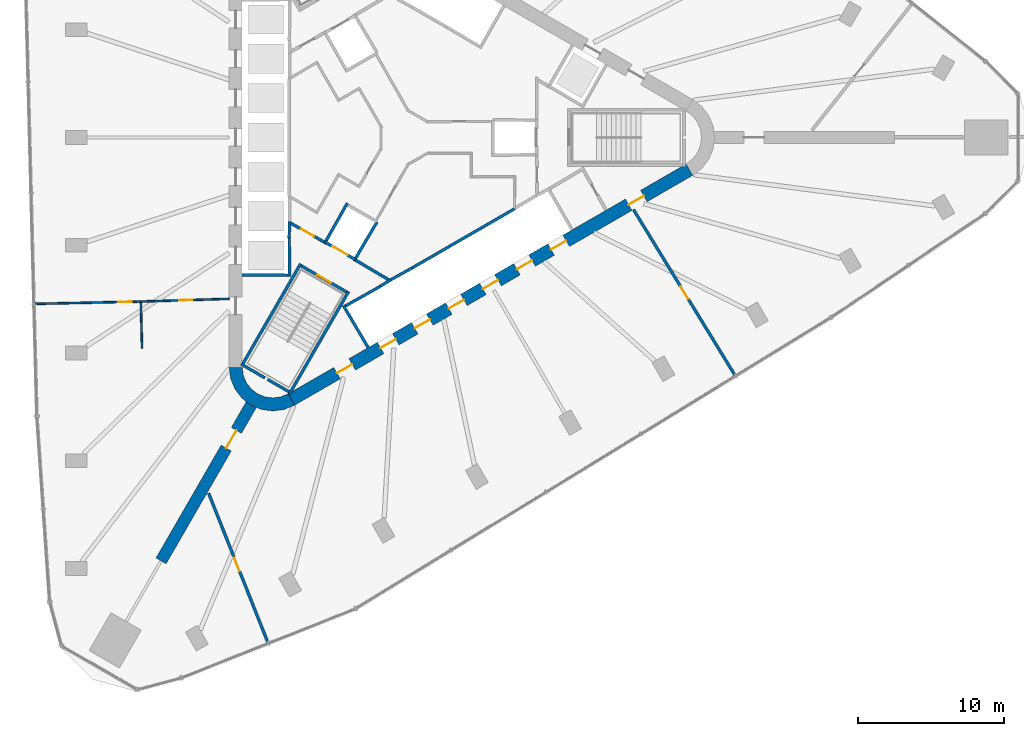
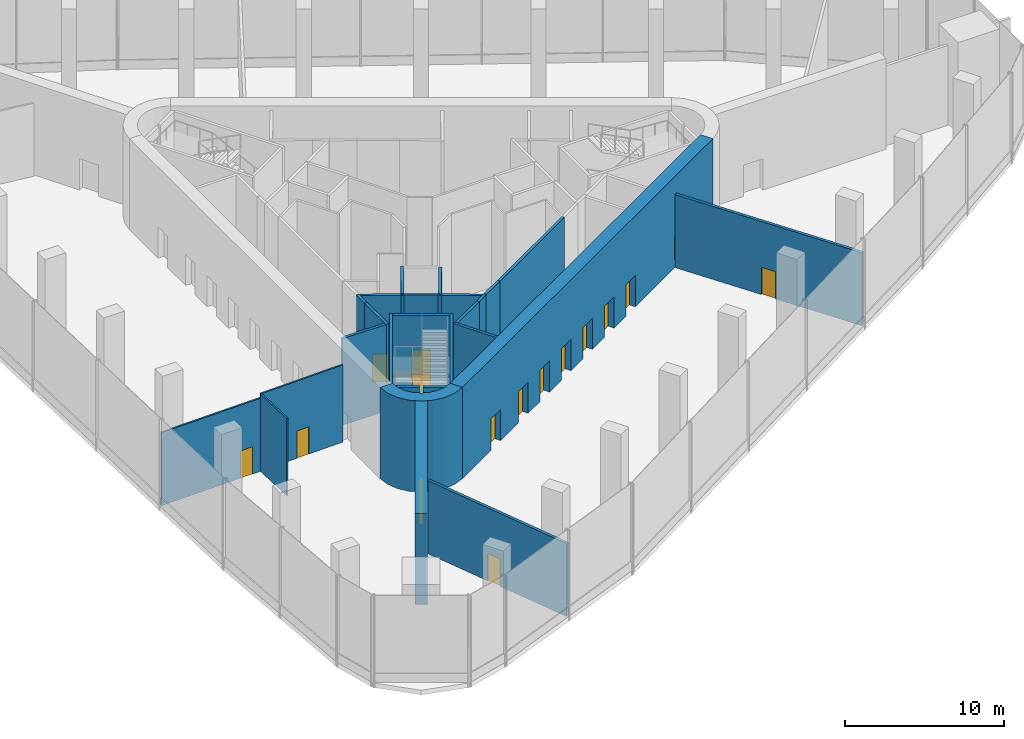
# One storey, part 8 of 15: 26 walls, 16 doors, 16 openings.
"""IFC4 building model written with IfcOpenShell, lengths in metres."""

from ifc_helpers import new_model, si_unit, direction, frame, frame_2d, origin, place, context, subcontext, project, spatial, polyline, rectangle, outline, extrude, material, layer, layer_set, type_object, element, fill, save


model = new_model("IFC4")

# Units and contexts
model_context = context("Model", 3, precision=1e-05, world=origin(), true_north=direction((0.0, 1.0)))
body_context = subcontext(model_context, "Body", "Model", "MODEL_VIEW")
ifc_project = project(units=[si_unit("LENGTHUNIT", "METRE"), si_unit("AREAUNIT", "SQUARE_METRE"), si_unit("VOLUMEUNIT", "CUBIC_METRE"), si_unit("PLANEANGLEUNIT", "RADIAN"), si_unit("MASSUNIT", "GRAM", prefix="KILO")], contexts=[model_context])

# Site, building, storey
site_placement = place(None, origin())
site = spatial("IfcSite", under=ifc_project, at=site_placement, CompositionType="ELEMENT")
building_placement = place(site_placement, origin())
building = spatial("IfcBuilding", under=site, at=building_placement, Name="Tanit Gate Tower", CompositionType="ELEMENT")
storey_placement = place(building_placement, frame((0.0, 0.0, 156.199951171875)))
storey = spatial("IfcBuildingStorey", under=building, at=storey_placement, Name="L34", CompositionType="ELEMENT", Elevation=156.199951171875)

# Wall, opening, door
ifc_material_1 = material(Name="Concrete C60/75", Category="concrete")
ifc_layer_1 = layer(ifc_material_1, 0.800048828125)
ifc_layer_set_1 = layer_set([ifc_layer_1], Name="BUTTRESS FIN 800 C60/75")
wall_type_1 = type_object("IfcWallType", Name="BUTTRESS FIN 800 C60/75", PredefinedType="SHEAR", material=ifc_layer_set_1)
wall_1_placement = place(storey_placement, frame((-10.574951171875, -18.31640625, 0.0), z_axis=(0.0, 0.0, 1.0), x_axis=(-0.500002326941, -0.86602406032, 0.0)))
wall_1 = element("IfcWall", 1, at=wall_1_placement, inside=storey, type_object=wall_type_1, Name="BUTTRESS FIN", PredefinedType="SHEAR", context=body_context, shape_type="SweptSolid", body=[
    extrude(rectangle(XDim=12.3837890625, YDim=0.800048828125, at=frame_2d((6.19189453125, 0.0))), origin(), (0.0, 0.0, 1.0), 7.0),
])
opening_1_placement = place(wall_1_placement, frame((2.050048828125, 0.0, 0.0)))
opening_1 = element("IfcOpeningElement", 2, at=opening_1_placement, cuts=wall_1, Name="Opening P14-34-F-SW-1", PredefinedType="OPENING", context=body_context, shape_type="SweptSolid", body=[
    extrude(rectangle(XDim=1.39990234375, YDim=2.39990234375, at=frame_2d((0.699951171875, 1.199951171875))), frame((0.0, 0.41015625, 0.0), z_axis=(0.0, -1.0, 0.0), x_axis=(1.0, 0.0, 0.0)), (0.0, 0.0, 1.0), 0.820068359375),
])
ifc_material_2 = material(Name="Timber door leaf", Category="wood")
door_type_1 = type_object("IfcDoorType", Name="INT-DOOR-FIN-PAIR-1400", OperationType="NOTDEFINED", PredefinedType="NOTDEFINED", material=ifc_material_2)
door_1_placement = place(opening_1_placement, origin())
door_1 = element("IfcDoor", 3, at=door_1_placement, inside=storey, type_object=door_type_1, Name="Door P14-34-F-SW-1", OperationType="DOUBLE_DOOR_SINGLE_SWING", OverallHeight=2.39990234375, OverallWidth=1.39990234375, PredefinedType="NOTDEFINED", context=body_context, shape_type="SweptSolid", body=[
    extrude(rectangle(XDim=1.39990234375, YDim=2.39990234375, at=frame_2d((0.699951171875, 1.199951171875))), frame((0.0, 0.02490234375, 0.0), z_axis=(0.0, -1.0, 0.0), x_axis=(1.0, 0.0, 0.0)), (0.0, 0.0, 1.0), 0.050048828125),
])
fill(opening_1, door_1)

# Wall, openings, doors
ifc_material_3 = material(Name="Concrete C60/75", Category="concrete")
ifc_layer_2 = layer(ifc_material_3, 0.89990234375)
ifc_layer_set_2 = layer_set([ifc_layer_2], Name="CORE WALL 900 C60/75")
wall_type_2 = type_object("IfcWallType", Name="CORE WALL 900 C60/75", PredefinedType="SHEAR", material=ifc_layer_set_2)
wall_2_placement = place(storey_placement, frame((-7.824951171875, -17.969970703125, 0.0), z_axis=(0.0, 0.0, 1.0), x_axis=(0.866028369851, 0.499994862586, 0.0)))
wall_2 = element("IfcWall", 4, at=wall_2_placement, inside=storey, type_object=wall_type_2, Name="CORE WALL", PredefinedType="SHEAR", context=body_context, shape_type="SweptSolid", body=[
    extrude(rectangle(XDim=31.523193359375, YDim=0.89990234375, at=frame_2d((15.76171875, 0.0))), origin(), (0.0, 0.0, 1.0), 7.0),
])
opening_2_placement = place(wall_2_placement, frame((7.061767578125, 0.0, 0.0)))
opening_2 = element("IfcOpeningElement", 5, at=opening_2_placement, cuts=wall_2, Name="Opening LDSX1-34", PredefinedType="OPENING", context=body_context, shape_type="SweptSolid", body=[
    extrude(rectangle(XDim=1.199951171875, YDim=2.39990234375, at=frame_2d((0.60009765625, 1.199951171875))), frame((0.0, 0.4599609375, 0.0), z_axis=(0.0, -1.0, 0.0), x_axis=(1.0, 0.0, 0.0)), (0.0, 0.0, 1.0), 0.919921875),
])
opening_3_placement = place(wall_2_placement, frame((9.76171875, 0.0, 0.0)))
opening_3 = element("IfcOpeningElement", 6, at=opening_3_placement, cuts=wall_2, Name="Opening LDSX2-34", PredefinedType="OPENING", context=body_context, shape_type="SweptSolid", body=[
    extrude(rectangle(XDim=1.199951171875, YDim=2.39990234375, at=frame_2d((0.60009765625, 1.199951171875))), frame((0.0, 0.4599609375, 0.0), z_axis=(0.0, -1.0, 0.0), x_axis=(1.0, 0.0, 0.0)), (0.0, 0.0, 1.0), 0.919921875),
])
opening_4_placement = place(wall_2_placement, frame((12.461669921875, 0.0, 0.0)))
opening_4 = element("IfcOpeningElement", 7, at=opening_4_placement, cuts=wall_2, Name="Opening LDSX3-34", PredefinedType="OPENING", context=body_context, shape_type="SweptSolid", body=[
    extrude(rectangle(XDim=1.199951171875, YDim=2.39990234375, at=frame_2d((0.60009765625, 1.199951171875))), frame((0.0, 0.4599609375, 0.0), z_axis=(0.0, -1.0, 0.0), x_axis=(1.0, 0.0, 0.0)), (0.0, 0.0, 1.0), 0.919921875),
])
opening_5_placement = place(wall_2_placement, frame((15.16162109375, 0.0, 0.0)))
opening_5 = element("IfcOpeningElement", 8, at=opening_5_placement, cuts=wall_2, Name="Opening LDSX4-34", PredefinedType="OPENING", context=body_context, shape_type="SweptSolid", body=[
    extrude(rectangle(XDim=1.199951171875, YDim=2.39990234375, at=frame_2d((0.60009765625, 1.199951171875))), frame((0.0, 0.4599609375, 0.0), z_axis=(0.0, -1.0, 0.0), x_axis=(1.0, 0.0, 0.0)), (0.0, 0.0, 1.0), 0.919921875),
])
opening_6_placement = place(wall_2_placement, frame((17.861572265625, 0.0, 0.0)))
opening_6 = element("IfcOpeningElement", 9, at=opening_6_placement, cuts=wall_2, Name="Opening LDSV1-34", PredefinedType="OPENING", context=body_context, shape_type="SweptSolid", body=[
    extrude(rectangle(XDim=1.199951171875, YDim=2.39990234375, at=frame_2d((0.60009765625, 1.199951171875))), frame((0.0, 0.4599609375, 0.0), z_axis=(0.0, -1.0, 0.0), x_axis=(1.0, 0.0, 0.0)), (0.0, 0.0, 1.0), 0.919921875),
])
opening_7_placement = place(wall_2_placement, frame((20.561767578125, 0.0, 0.0)))
opening_7 = element("IfcOpeningElement", 10, at=opening_7_placement, cuts=wall_2, Name="Opening LDSV2-34", PredefinedType="OPENING", context=body_context, shape_type="SweptSolid", body=[
    extrude(rectangle(XDim=1.199951171875, YDim=2.39990234375, at=frame_2d((0.60009765625, 1.199951171875))), frame((0.0, 0.4599609375, 0.0), z_axis=(0.0, -1.0, 0.0), x_axis=(1.0, 0.0, 0.0)), (0.0, 0.0, 1.0), 0.919921875),
])
opening_8_placement = place(wall_2_placement, frame((26.711669921875, 0.0, 0.0)))
opening_8 = element("IfcOpeningElement", 11, at=opening_8_placement, cuts=wall_2, Name="Opening F12-34-S1", PredefinedType="OPENING", context=body_context, shape_type="SweptSolid", body=[
    extrude(rectangle(XDim=1.199951171875, YDim=2.39990234375, at=frame_2d((0.60009765625, 1.199951171875))), frame((0.0, 0.4599609375, 0.0), z_axis=(0.0, -1.0, 0.0), x_axis=(1.0, 0.0, 0.0)), (0.0, 0.0, 1.0), 0.919921875),
])
opening_9_placement = place(wall_2_placement, frame((3.611572265625, 0.0, 0.0)))
opening_9 = element("IfcOpeningElement", 12, at=opening_9_placement, cuts=wall_2, Name="Opening F12-34-FL3", PredefinedType="OPENING", context=body_context, shape_type="SweptSolid", body=[
    extrude(rectangle(XDim=1.199951171875, YDim=2.39990234375, at=frame_2d((0.60009765625, 1.199951171875))), frame((0.0, 0.4599609375, 0.0), z_axis=(0.0, -1.0, 0.0), x_axis=(1.0, 0.0, 0.0)), (0.0, 0.0, 1.0), 0.919921875),
])
ifc_material_4 = material(Name="Fire-rated steel door leaf", Category="steel")
door_type_2 = type_object("IfcDoorType", Name="INT-DOOR-FIRE-LOBBY-1200", OperationType="NOTDEFINED", PredefinedType="USERDEFINED", material=ifc_material_4)
door_2_placement = place(opening_8_placement, origin())
door_2 = element("IfcDoor", 13, at=door_2_placement, inside=storey, type_object=door_type_2, Name="Door F12-34-S1", ObjectType="FIRE DOOR", OperationType="SINGLE_SWING_LEFT", OverallHeight=2.39990234375, OverallWidth=1.199951171875, PredefinedType="USERDEFINED", context=body_context, shape_type="SweptSolid", body=[
    extrude(rectangle(XDim=1.199951171875, YDim=2.39990234375, at=frame_2d((0.60009765625, 1.199951171875))), frame((0.0, 0.02490234375, 0.0), z_axis=(0.0, -1.0, 0.0), x_axis=(1.0, 0.0, 0.0)), (0.0, 0.0, 1.0), 0.050048828125),
])
fill(opening_8, door_2)
door_3_placement = place(opening_9_placement, origin())
door_3 = element("IfcDoor", 14, at=door_3_placement, inside=storey, type_object=door_type_2, Name="Door F12-34-FL3", ObjectType="FIRE DOOR", OperationType="SINGLE_SWING_LEFT", OverallHeight=2.39990234375, OverallWidth=1.199951171875, PredefinedType="USERDEFINED", context=body_context, shape_type="SweptSolid", body=[
    extrude(rectangle(XDim=1.199951171875, YDim=2.39990234375, at=frame_2d((0.60009765625, 1.199951171875))), frame((0.0, 0.02490234375, 0.0), z_axis=(0.0, -1.0, 0.0), x_axis=(1.0, 0.0, 0.0)), (0.0, 0.0, 1.0), 0.050048828125),
])
fill(opening_9, door_3)
ifc_material_5 = material(Name="Stainless steel sliding door leaf", Category="steel")
door_type_3 = type_object("IfcDoorType", Name="INT-DOOR-LANDING-1200", OperationType="NOTDEFINED", PredefinedType="USERDEFINED", material=ifc_material_5)
door_4_placement = place(opening_2_placement, origin())
door_4 = element("IfcDoor", 15, at=door_4_placement, inside=storey, type_object=door_type_3, Name="Door LDSX1-34", ObjectType="LANDING DOOR", OperationType="SLIDING_TO_LEFT", OverallHeight=2.39990234375, OverallWidth=1.199951171875, PredefinedType="USERDEFINED", context=body_context, shape_type="SweptSolid", body=[
    extrude(rectangle(XDim=1.199951171875, YDim=2.39990234375, at=frame_2d((0.60009765625, 1.199951171875))), frame((0.0, 0.02490234375, 0.0), z_axis=(0.0, -1.0, 0.0), x_axis=(1.0, 0.0, 0.0)), (0.0, 0.0, 1.0), 0.050048828125),
])
fill(opening_2, door_4)
door_5_placement = place(opening_3_placement, origin())
door_5 = element("IfcDoor", 16, at=door_5_placement, inside=storey, type_object=door_type_3, Name="Door LDSX2-34", ObjectType="LANDING DOOR", OperationType="SLIDING_TO_LEFT", OverallHeight=2.39990234375, OverallWidth=1.199951171875, PredefinedType="USERDEFINED", context=body_context, shape_type="SweptSolid", body=[
    extrude(rectangle(XDim=1.199951171875, YDim=2.39990234375, at=frame_2d((0.60009765625, 1.199951171875))), frame((0.0, 0.02490234375, 0.0), z_axis=(0.0, -1.0, 0.0), x_axis=(1.0, 0.0, 0.0)), (0.0, 0.0, 1.0), 0.050048828125),
])
fill(opening_3, door_5)
door_6_placement = place(opening_4_placement, origin())
door_6 = element("IfcDoor", 17, at=door_6_placement, inside=storey, type_object=door_type_3, Name="Door LDSX3-34", ObjectType="LANDING DOOR", OperationType="SLIDING_TO_LEFT", OverallHeight=2.39990234375, OverallWidth=1.199951171875, PredefinedType="USERDEFINED", context=body_context, shape_type="SweptSolid", body=[
    extrude(rectangle(XDim=1.199951171875, YDim=2.39990234375, at=frame_2d((0.60009765625, 1.199951171875))), frame((0.0, 0.02490234375, 0.0), z_axis=(0.0, -1.0, 0.0), x_axis=(1.0, 0.0, 0.0)), (0.0, 0.0, 1.0), 0.050048828125),
])
fill(opening_4, door_6)
door_7_placement = place(opening_5_placement, origin())
door_7 = element("IfcDoor", 18, at=door_7_placement, inside=storey, type_object=door_type_3, Name="Door LDSX4-34", ObjectType="LANDING DOOR", OperationType="SLIDING_TO_LEFT", OverallHeight=2.39990234375, OverallWidth=1.199951171875, PredefinedType="USERDEFINED", context=body_context, shape_type="SweptSolid", body=[
    extrude(rectangle(XDim=1.199951171875, YDim=2.39990234375, at=frame_2d((0.60009765625, 1.199951171875))), frame((0.0, 0.02490234375, 0.0), z_axis=(0.0, -1.0, 0.0), x_axis=(1.0, 0.0, 0.0)), (0.0, 0.0, 1.0), 0.050048828125),
])
fill(opening_5, door_7)
door_8_placement = place(opening_6_placement, origin())
door_8 = element("IfcDoor", 19, at=door_8_placement, inside=storey, type_object=door_type_3, Name="Door LDSV1-34", ObjectType="LANDING DOOR", OperationType="SLIDING_TO_LEFT", OverallHeight=2.39990234375, OverallWidth=1.199951171875, PredefinedType="USERDEFINED", context=body_context, shape_type="SweptSolid", body=[
    extrude(rectangle(XDim=1.199951171875, YDim=2.39990234375, at=frame_2d((0.60009765625, 1.199951171875))), frame((0.0, 0.02490234375, 0.0), z_axis=(0.0, -1.0, 0.0), x_axis=(1.0, 0.0, 0.0)), (0.0, 0.0, 1.0), 0.050048828125),
])
fill(opening_6, door_8)
door_9_placement = place(opening_7_placement, origin())
door_9 = element("IfcDoor", 20, at=door_9_placement, inside=storey, type_object=door_type_3, Name="Door LDSV2-34", ObjectType="LANDING DOOR", OperationType="SLIDING_TO_LEFT", OverallHeight=2.39990234375, OverallWidth=1.199951171875, PredefinedType="USERDEFINED", context=body_context, shape_type="SweptSolid", body=[
    extrude(rectangle(XDim=1.199951171875, YDim=2.39990234375, at=frame_2d((0.60009765625, 1.199951171875))), frame((0.0, 0.02490234375, 0.0), z_axis=(0.0, -1.0, 0.0), x_axis=(1.0, 0.0, 0.0)), (0.0, 0.0, 1.0), 0.050048828125),
])
fill(opening_7, door_9)

# Walls
wall_3_placement = place(storey_placement, origin())
element("IfcWall", 21, at=wall_3_placement, inside=storey, type_object=wall_type_2, Name="CORE WALL CORNER", PredefinedType="SHEAR", context=body_context, shape_type="SweptSolid", body=[
    extrude(outline(polyline([(-12.10009765625, -15.76171875), (-11.997802734375, -16.5380859375), (-11.697998046875, -17.26171875), (-11.22119140625, -17.883056640625), (-10.60009765625, -18.359619140625), (-9.87646484375, -18.659423828125), (-9.10009765625, -18.76171875), (-8.323486328125, -18.659423828125), (-7.60009765625, -18.359619140625), (-8.050048828125, -17.580322265625), (-8.556396484375, -17.7900390625), (-9.10009765625, -17.86181640625), (-9.6435546875, -17.7900390625), (-10.14990234375, -17.580322265625), (-10.5849609375, -17.24658203125), (-10.918701171875, -16.811767578125), (-11.12841796875, -16.30517578125), (-11.199951171875, -15.76171875), (-12.10009765625, -15.76171875)])), origin(), (0.0, 0.0, 1.0), 7.0),
])
ifc_material_6 = material(Name="Fire-rated gypsum board partition")
ifc_layer_3 = layer(ifc_material_6, 0.199951171875)
ifc_layer_set_3 = layer_set([ifc_layer_3], Name="INT-WALL-COMPARTMENT")
wall_type_3 = type_object("IfcWallType", Name="INT-WALL-COMPARTMENT", PredefinedType="PARTITIONING", material=ifc_layer_set_3)
wall_4_placement = place(storey_placement, frame((-3.400634765625, -8.43017578125, 0.0), z_axis=(0.0, 0.0, 1.0), x_axis=(0.860615607571, -0.509255118781, 0.0)))
element("IfcWall", 22, at=wall_4_placement, inside=storey, type_object=wall_type_3, Name="Wall Compartment W066", PredefinedType="PARTITIONING", context=body_context, shape_type="SweptSolid", body=[
    extrude(rectangle(XDim=2.58056640625, YDim=0.199951171875, at=frame_2d((1.290283203125, 0.0))), origin(), (0.0, 0.0, 1.0), 6.650146484375),
])

# Wall, opening, door
wall_5_placement = place(storey_placement, frame((-7.849365234375, -5.893798828125, 0.0), z_axis=(0.0, 0.0, 1.0), x_axis=(0.871363259478, -0.490638431059, 0.0)))
wall_5 = element("IfcWall", 23, at=wall_5_placement, inside=storey, type_object=wall_type_3, Name="Wall Compartment W067", PredefinedType="PARTITIONING", context=body_context, shape_type="SweptSolid", body=[
    extrude(rectangle(XDim=2.5810546875, YDim=0.199951171875, at=frame_2d((1.29052734375, 0.0))), origin(), (0.0, 0.0, 1.0), 6.650146484375),
])
opening_10_placement = place(wall_5_placement, frame((0.79052734375, 0.0, 0.0)))
opening_10 = element("IfcOpeningElement", 24, at=opening_10_placement, cuts=wall_5, Name="Opening F10-34-08", PredefinedType="OPENING", context=body_context, shape_type="SweptSolid", body=[
    extrude(rectangle(XDim=1.0, YDim=2.10009765625, at=frame_2d((0.5, 1.050048828125))), frame((0.0, 0.10986328125, 0.0), z_axis=(0.0, -1.0, 0.0), x_axis=(1.0, 0.0, 0.0)), (0.0, 0.0, 1.0), 0.219970703125),
])
ifc_material_7 = material(Name="Fire-rated steel door leaf", Category="steel")
door_type_4 = type_object("IfcDoorType", Name="INT-DOOR-FIRE-1000", OperationType="NOTDEFINED", PredefinedType="USERDEFINED", material=ifc_material_7)
door_10_placement = place(opening_10_placement, origin())
door_10 = element("IfcDoor", 25, at=door_10_placement, inside=storey, type_object=door_type_4, Name="Door F10-34-08", ObjectType="FIRE DOOR", OperationType="SINGLE_SWING_RIGHT", OverallHeight=2.10009765625, OverallWidth=1.0, PredefinedType="USERDEFINED", context=body_context, shape_type="SweptSolid", body=[
    extrude(rectangle(XDim=1.0, YDim=2.10009765625, at=frame_2d((0.5, 1.050048828125))), frame((0.0, 0.02490234375, 0.0), z_axis=(0.0, -1.0, 0.0), x_axis=(1.0, 0.0, 0.0)), (0.0, 0.0, 1.0), 0.050048828125),
])
fill(opening_10, door_10)

wall_6_placement = place(storey_placement, frame((-13.5078125, -24.396240234375, 0.0), z_axis=(0.0, 0.0, 1.0), x_axis=(0.368929458487, -0.92945739798, 0.0)))
wall_6 = element("IfcWall", 26, at=wall_6_placement, inside=storey, type_object=wall_type_3, Name="Wall Compartment W096", PredefinedType="PARTITIONING", context=body_context, shape_type="SweptSolid", body=[
    extrude(rectangle(XDim=11.08837890625, YDim=0.199951171875, at=frame_2d((5.544189453125, 0.0))), origin(), (0.0, 0.0, 1.0), 5.612060546875),
])
opening_11_placement = place(wall_6_placement, frame((4.762451171875, 0.0, 0.0)))
opening_11 = element("IfcOpeningElement", 27, at=opening_11_placement, cuts=wall_6, Name="Opening F10-34-17", PredefinedType="OPENING", context=body_context, shape_type="SweptSolid", body=[
    extrude(rectangle(XDim=1.0, YDim=2.10009765625, at=frame_2d((0.5, 1.050048828125))), frame((0.0, 0.10986328125, 0.0), z_axis=(0.0, -1.0, 0.0), x_axis=(1.0, 0.0, 0.0)), (0.0, 0.0, 1.0), 0.219970703125),
])
door_11_placement = place(opening_11_placement, origin())
door_11 = element("IfcDoor", 28, at=door_11_placement, inside=storey, type_object=door_type_4, Name="Door F10-34-17", ObjectType="FIRE DOOR", OperationType="SINGLE_SWING_LEFT", OverallHeight=2.10009765625, OverallWidth=1.0, PredefinedType="USERDEFINED", context=body_context, shape_type="SweptSolid", body=[
    extrude(rectangle(XDim=1.0, YDim=2.10009765625, at=frame_2d((0.5, 1.050048828125))), frame((0.0, 0.02490234375, 0.0), z_axis=(0.0, -1.0, 0.0), x_axis=(1.0, 0.0, 0.0)), (0.0, 0.0, 1.0), 0.050048828125),
])
fill(opening_11, door_11)

wall_7_placement = place(storey_placement, frame((22.631103515625, -16.368896484375, 0.0), z_axis=(0.0, 0.0, 1.0), x_axis=(-0.522292365044, 0.852766489384, 0.0)))
wall_7 = element("IfcWall", 29, at=wall_7_placement, inside=storey, type_object=wall_type_3, Name="Wall Compartment W097", PredefinedType="PARTITIONING", context=body_context, shape_type="SweptSolid", body=[
    extrude(rectangle(XDim=13.39599609375, YDim=0.199951171875, at=frame_2d((6.697998046875, 0.0))), origin(), (0.0, 0.0, 1.0), 5.612060546875),
])
opening_12_placement = place(wall_7_placement, frame((6.199951171875, 0.0, 0.0)))
opening_12 = element("IfcOpeningElement", 30, at=opening_12_placement, cuts=wall_7, Name="Opening F10-34-18", PredefinedType="OPENING", context=body_context, shape_type="SweptSolid", body=[
    extrude(rectangle(XDim=1.0, YDim=2.10009765625, at=frame_2d((0.5, 1.050048828125))), frame((0.0, 0.10986328125, 0.0), z_axis=(0.0, -1.0, 0.0), x_axis=(1.0, 0.0, 0.0)), (0.0, 0.0, 1.0), 0.219970703125),
])
door_12_placement = place(opening_12_placement, origin())
door_12 = element("IfcDoor", 31, at=door_12_placement, inside=storey, type_object=door_type_4, Name="Door F10-34-18", ObjectType="FIRE DOOR", OperationType="SINGLE_SWING_RIGHT", OverallHeight=2.10009765625, OverallWidth=1.0, PredefinedType="USERDEFINED", context=body_context, shape_type="SweptSolid", body=[
    extrude(rectangle(XDim=1.0, YDim=2.10009765625, at=frame_2d((0.5, 1.050048828125))), frame((0.0, 0.02490234375, 0.0), z_axis=(0.0, -1.0, 0.0), x_axis=(1.0, 0.0, 0.0)), (0.0, 0.0, 1.0), 0.050048828125),
])
fill(opening_12, door_12)

ifc_material_8 = material(Name="Gypsum board partition")
ifc_layer_4 = layer(ifc_material_8, 0.1201171875)
ifc_layer_set_4 = layer_set([ifc_layer_4], Name="INT-WALL-PARTITION")
wall_type_4 = type_object("IfcWallType", Name="INT-WALL-PARTITION", PredefinedType="PARTITIONING", material=ifc_layer_set_4)
wall_8_placement = place(storey_placement, frame((-25.491455078125, -11.41455078125, 0.0), z_axis=(0.0, 0.0, 1.0), x_axis=(0.999761030314, 0.021860518418, 0.0)))
wall_8 = element("IfcWall", 32, at=wall_8_placement, inside=storey, type_object=wall_type_4, Name="Wall Partition W089", PredefinedType="PARTITIONING", context=body_context, shape_type="SweptSolid", body=[
    extrude(rectangle(XDim=7.33740234375, YDim=0.1201171875, at=frame_2d((3.668701171875, 0.0))), origin(), (0.0, 0.0, 1.0), 5.612060546875),
])
opening_13_placement = place(wall_8_placement, frame((5.80029296875, 0.0, 0.0)))
opening_13 = element("IfcOpeningElement", 33, at=opening_13_placement, cuts=wall_8, Name="Opening D09-34-19", PredefinedType="OPENING", context=body_context, shape_type="SweptSolid", body=[
    extrude(rectangle(XDim=0.89990234375, YDim=2.10009765625, at=frame_2d((0.449951171875, 1.050048828125))), frame((0.0, 0.070068359375, 0.0), z_axis=(0.0, -1.0, 0.0), x_axis=(1.0, 0.0, 0.0)), (0.0, 0.0, 1.0), 0.14013671875),
])
ifc_material_9 = material(Name="Timber door leaf", Category="wood")
door_type_5 = type_object("IfcDoorType", Name="INT-DOOR-SINGLE-900", OperationType="NOTDEFINED", PredefinedType="NOTDEFINED", material=ifc_material_9)
door_13_placement = place(opening_13_placement, origin())
door_13 = element("IfcDoor", 34, at=door_13_placement, inside=storey, type_object=door_type_5, Name="Door D09-34-19", OperationType="SINGLE_SWING_LEFT", OverallHeight=2.10009765625, OverallWidth=0.89990234375, PredefinedType="NOTDEFINED", context=body_context, shape_type="SweptSolid", body=[
    extrude(rectangle(XDim=0.89990234375, YDim=2.10009765625, at=frame_2d((0.449951171875, 1.050048828125))), frame((0.0, 0.02490234375, 0.0), z_axis=(0.0, -1.0, 0.0), x_axis=(1.0, 0.0, 0.0)), (0.0, 0.0, 1.0), 0.050048828125),
])
fill(opening_13, door_13)

wall_9_placement = place(storey_placement, frame((-18.15576171875, -11.25439453125, 0.0), z_axis=(0.0, 0.0, 1.0), x_axis=(0.999523488274, 0.030867400097, 0.0)))
wall_9 = element("IfcWall", 35, at=wall_9_placement, inside=storey, type_object=wall_type_4, Name="Wall Partition W090", PredefinedType="PARTITIONING", context=body_context, shape_type="SweptSolid", body=[
    extrude(rectangle(XDim=6.05859375, YDim=0.1201171875, at=frame_2d((3.029296875, 0.0))), origin(), (0.0, 0.0, 1.0), 5.929931640625),
])
opening_14_placement = place(wall_9_placement, frame((2.6298828125, 0.0, 0.0)))
opening_14 = element("IfcOpeningElement", 36, at=opening_14_placement, cuts=wall_9, Name="Opening D09-34-20", PredefinedType="OPENING", context=body_context, shape_type="SweptSolid", body=[
    extrude(rectangle(XDim=0.89990234375, YDim=2.10009765625, at=frame_2d((0.449951171875, 1.050048828125))), frame((0.0, 0.070068359375, 0.0), z_axis=(0.0, -1.0, 0.0), x_axis=(1.0, 0.0, 0.0)), (0.0, 0.0, 1.0), 0.14013671875),
])
door_14_placement = place(opening_14_placement, origin())
door_14 = element("IfcDoor", 37, at=door_14_placement, inside=storey, type_object=door_type_5, Name="Door D09-34-20", OperationType="SINGLE_SWING_RIGHT", OverallHeight=2.10009765625, OverallWidth=0.89990234375, PredefinedType="NOTDEFINED", context=body_context, shape_type="SweptSolid", body=[
    extrude(rectangle(XDim=0.89990234375, YDim=2.10009765625, at=frame_2d((0.449951171875, 1.050048828125))), frame((0.0, 0.02490234375, 0.0), z_axis=(0.0, -1.0, 0.0), x_axis=(1.0, 0.0, 0.0)), (0.0, 0.0, 1.0), 0.050048828125),
])
fill(opening_14, door_14)

# Walls
wall_10_placement = place(storey_placement, frame((-18.07275390625, -14.453369140625, 0.0), z_axis=(0.0, 0.0, 1.0), x_axis=(-0.025969305079, 0.999662740725, 0.0)))
element("IfcWall", 38, at=wall_10_placement, inside=storey, type_object=wall_type_4, Name="Wall Partition W091", PredefinedType="PARTITIONING", context=body_context, shape_type="SweptSolid", body=[
    extrude(rectangle(XDim=3.139892578125, YDim=0.1201171875, at=frame_2d((1.56982421875, 0.0))), origin(), (0.0, 0.0, 1.0), 5.929931640625),
])
ifc_material_10 = material(Name="Gypsum shaft wall system")
ifc_layer_5 = layer(ifc_material_10, 0.199951171875)
ifc_layer_set_5 = layer_set([ifc_layer_5], Name="INT-WALL-SHAFT")
wall_type_5 = type_object("IfcWallType", Name="INT-WALL-SHAFT", PredefinedType="PLUMBINGWALL", material=ifc_layer_set_5)
wall_11_placement = place(storey_placement, frame((-7.949951171875, -5.7724609375, 0.0), z_axis=(0.0, 0.0, 1.0), x_axis=(-0.030803413295, -0.999525462272, 0.0)))
element("IfcWall", 39, at=wall_11_placement, inside=storey, type_object=wall_type_5, Name="Wall Shaft W008", PredefinedType="PLUMBINGWALL", context=body_context, shape_type="SweptSolid", body=[
    extrude(rectangle(XDim=1.077880859375, YDim=0.199951171875, at=frame_2d((0.5390625, 0.0))), origin(), (0.0, 0.0, 1.0), 6.650146484375),
])
wall_12_placement = place(storey_placement, frame((-7.97900390625, -6.85009765625, 0.0), z_axis=(0.0, 0.0, 1.0), x_axis=(0.011121475088, -0.999938154483, 0.0)))
element("IfcWall", 40, at=wall_12_placement, inside=storey, type_object=wall_type_5, Name="Wall Shaft W010", PredefinedType="PLUMBINGWALL", context=body_context, shape_type="SweptSolid", body=[
    extrude(rectangle(XDim=2.7001953125, YDim=0.199951171875, at=frame_2d((1.35009765625, 0.0))), origin(), (0.0, 0.0, 1.0), 6.650146484375),
])
wall_13_placement = place(storey_placement, frame((-8.050048828125, -9.448974609375, 0.0), z_axis=(0.0, 0.0, 1.0), x_axis=(-0.999957467379, 0.009222983926, 0.0)))
element("IfcWall", 41, at=wall_13_placement, inside=storey, type_object=wall_type_5, Name="Wall Shaft W011", PredefinedType="PLUMBINGWALL", context=body_context, shape_type="SweptSolid", body=[
    extrude(rectangle(XDim=3.150146484375, YDim=0.199951171875, at=frame_2d((1.5751953125, 0.0))), origin(), (0.0, 0.0, 1.0), 6.650146484375),
])
wall_14_placement = place(storey_placement, frame((0.482666015625, -8.935791015625, 0.0), z_axis=(0.0, 0.0, 1.0), x_axis=(0.866030989016, 0.499990325971, 0.0)))
element("IfcWall", 42, at=wall_14_placement, inside=storey, type_object=wall_type_5, Name="Wall Shaft W030", PredefinedType="PLUMBINGWALL", context=body_context, shape_type="SweptSolid", body=[
    extrude(rectangle(XDim=8.099853515625, YDim=0.199951171875, at=frame_2d((4.0498046875, 0.0))), origin(), (0.0, 0.0, 1.0), 6.650146484375),
])
wall_15_placement = place(storey_placement, frame((-2.557861328125, -14.409423828125, 0.0), z_axis=(0.0, 0.0, 1.0), x_axis=(-0.507997497166, 0.861358544901, 0.0)))
element("IfcWall", 43, at=wall_15_placement, inside=storey, type_object=wall_type_5, Name="Wall Shaft W026", PredefinedType="PLUMBINGWALL", context=body_context, shape_type="SweptSolid", body=[
    extrude(rectangle(XDim=3.350341796875, YDim=0.199951171875, at=frame_2d((1.67529296875, 0.0))), origin(), (0.0, 0.0, 1.0), 6.650146484375),
])
wall_16_placement = place(storey_placement, frame((-1.7685546875, -10.23681640625, 0.0), z_axis=(0.0, 0.0, 1.0), x_axis=(-0.871534483978, -0.490334215854, 0.0)))
element("IfcWall", 44, at=wall_16_placement, inside=storey, type_object=wall_type_5, Name="Wall Shaft W027", PredefinedType="PLUMBINGWALL", context=body_context, shape_type="SweptSolid", body=[
    extrude(rectangle(XDim=2.7001953125, YDim=0.199951171875, at=frame_2d((1.35009765625, 0.0))), origin(), (0.0, 0.0, 1.0), 6.650146484375),
])
wall_17_placement = place(storey_placement, frame((-1.02392578125, -9.77099609375, 0.0), z_axis=(0.0, 0.0, 1.0), x_axis=(-0.850348075135, -0.526220629693, 0.0)))
element("IfcWall", 45, at=wall_17_placement, inside=storey, type_object=wall_type_5, Name="Wall Shaft W028", PredefinedType="PLUMBINGWALL", context=body_context, shape_type="SweptSolid", body=[
    extrude(rectangle(XDim=0.878173828125, YDim=0.199951171875, at=frame_2d((0.43896484375, 0.0))), origin(), (0.0, 0.0, 1.0), 6.650146484375),
])
wall_18_placement = place(storey_placement, frame((-1.130126953125, -9.831298828125, 0.0), z_axis=(0.0, 0.0, 1.0), x_axis=(0.874269620932, 0.485440655401, 0.0)))
element("IfcWall", 46, at=wall_18_placement, inside=storey, type_object=wall_type_5, Name="Wall Shaft W029", PredefinedType="PLUMBINGWALL", context=body_context, shape_type="SweptSolid", body=[
    extrude(rectangle(XDim=1.8447265625, YDim=0.199951171875, at=frame_2d((0.92236328125, 0.0))), origin(), (0.0, 0.0, 1.0), 6.650146484375),
])

# Wall, opening, door
wall_19_placement = place(storey_placement, frame((-3.44580078125, -8.3681640625, 0.0), z_axis=(0.0, 0.0, 1.0), x_axis=(-0.866024647952, 0.500001309137, 0.0)))
wall_19 = element("IfcWall", 47, at=wall_19_placement, inside=storey, type_object=wall_type_5, Name="Wall Shaft W055", PredefinedType="PLUMBINGWALL", context=body_context, shape_type="SweptSolid", body=[
    extrude(rectangle(XDim=2.39990234375, YDim=0.199951171875, at=frame_2d((1.199951171875, 0.0))), origin(), (0.0, 0.0, 1.0), 6.650146484375),
])
opening_15_placement = place(wall_19_placement, frame((0.60009765625, 0.0, 0.0)))
opening_15 = element("IfcOpeningElement", 48, at=opening_15_placement, cuts=wall_19, Name="Opening LDFL3-L34", PredefinedType="OPENING", context=body_context, shape_type="SweptSolid", body=[
    extrude(rectangle(XDim=1.199951171875, YDim=2.39990234375, at=frame_2d((0.60009765625, 1.199951171875))), frame((0.0, 0.10986328125, 0.0), z_axis=(0.0, -1.0, 0.0), x_axis=(1.0, 0.0, 0.0)), (0.0, 0.0, 1.0), 0.219970703125),
])
door_15_placement = place(opening_15_placement, origin())
door_15 = element("IfcDoor", 49, at=door_15_placement, inside=storey, type_object=door_type_3, Name="Door LDFL3-L34", ObjectType="LANDING DOOR", OperationType="SLIDING_TO_LEFT", OverallHeight=2.39990234375, OverallWidth=1.199951171875, PredefinedType="USERDEFINED", context=body_context, shape_type="SweptSolid", body=[
    extrude(rectangle(XDim=1.199951171875, YDim=2.39990234375, at=frame_2d((0.60009765625, 1.199951171875))), frame((0.0, 0.02490234375, 0.0), z_axis=(0.0, -1.0, 0.0), x_axis=(1.0, 0.0, 0.0)), (0.0, 0.0, 1.0), 0.050048828125),
])
fill(opening_15, door_15)

# Walls
wall_20_placement = place(storey_placement, frame((-1.960693359375, -5.796142578125, 0.0), z_axis=(0.0, 0.0, 1.0), x_axis=(-0.508647062354, -0.860975125052, 0.0)))
element("IfcWall", 50, at=wall_20_placement, inside=storey, type_object=wall_type_5, Name="Wall Shaft W056", PredefinedType="PLUMBINGWALL", context=body_context, shape_type="SweptSolid", body=[
    extrude(rectangle(XDim=3.10009765625, YDim=0.199951171875, at=frame_2d((1.550048828125, 0.0))), origin(), (0.0, 0.0, 1.0), 6.650146484375),
])
wall_21_placement = place(storey_placement, frame((-3.989990234375, -4.509033203125, 0.0), z_axis=(0.0, 0.0, 1.0), x_axis=(-0.491358283181, -0.870957540612, 0.0)))
element("IfcWall", 51, at=wall_21_placement, inside=storey, type_object=wall_type_5, Name="Wall Shaft W057", PredefinedType="PLUMBINGWALL", context=body_context, shape_type="SweptSolid", body=[
    extrude(rectangle(XDim=3.200439453125, YDim=0.199951171875, at=frame_2d((1.60009765625, 0.0))), origin(), (0.0, 0.0, 1.0), 6.650146484375),
])
ifc_material_11 = material(Name="Concrete C40/50", Category="concrete")
ifc_layer_6 = layer(ifc_material_11, 0.199951171875)
ifc_layer_set_6 = layer_set([ifc_layer_6], Name="INT-WALL-STAIR")
wall_type_6 = type_object("IfcWallType", Name="INT-WALL-STAIR", PredefinedType="SHEAR", material=ifc_layer_set_6)
wall_22_placement = place(storey_placement, frame((-3.904541015625, -10.56298828125, -0.349853515625), z_axis=(0.0, 0.0, 1.0), x_axis=(-0.500012932018, -0.866017937352, 0.0)))
element("IfcWall", 52, at=wall_22_placement, inside=storey, type_object=wall_type_6, Name="Wall Stair W050", PredefinedType="SHEAR", context=body_context, shape_type="SweptSolid", body=[
    extrude(rectangle(XDim=8.099853515625, YDim=0.199951171875, at=frame_2d((4.0498046875, 0.0))), origin(), (0.0, 0.0, 1.0), 7.0),
])
wall_23_placement = place(storey_placement, frame((-11.281982421875, -15.541015625, -0.349853515625), z_axis=(0.0, 0.0, 1.0), x_axis=(0.866000578957, -0.500042995397, 0.0)))
element("IfcWall", 53, at=wall_23_placement, inside=storey, type_object=wall_type_6, Name="Wall Stair W052", PredefinedType="SHEAR", context=body_context, shape_type="SweptSolid", body=[
    extrude(rectangle(XDim=1.889892578125, YDim=0.199951171875, at=frame_2d((0.94482421875, 0.0))), origin(), (0.0, 0.0, 1.0), 7.0),
])
wall_24_placement = place(storey_placement, frame((-9.454833984375, -16.59619140625, -0.349853515625), z_axis=(0.0, 0.0, 1.0), x_axis=(0.866038843867, -0.499976720371, 0.0)))
element("IfcWall", 54, at=wall_24_placement, inside=storey, type_object=wall_type_6, Name="Wall Stair W051", PredefinedType="SHEAR", context=body_context, shape_type="SweptSolid", body=[
    extrude(rectangle(XDim=1.68994140625, YDim=0.199951171875, at=frame_2d((0.844970703125, 0.0))), origin(), (0.0, 0.0, 1.0), 7.0),
])
wall_25_placement = place(storey_placement, frame((-7.195556640625, -8.662841796875, -0.349853515625), z_axis=(0.0, 0.0, 1.0), x_axis=(-0.499997992926, -0.866026562566, 0.0)))
element("IfcWall", 55, at=wall_25_placement, inside=storey, type_object=wall_type_6, Name="Wall Stair W053", PredefinedType="SHEAR", context=body_context, shape_type="SweptSolid", body=[
    extrude(rectangle(XDim=7.89990234375, YDim=0.199951171875, at=frame_2d((3.949951171875, 0.0))), origin(), (0.0, 0.0, 1.0), 7.0),
])

# Wall, opening, door
wall_26_placement = place(storey_placement, frame((-4.041259765625, -10.599365234375, -0.349853515625), z_axis=(0.0, 0.0, 1.0), x_axis=(-0.866047807691, 0.499961193289, 0.0)))
wall_26 = element("IfcWall", 56, at=wall_26_placement, inside=storey, type_object=wall_type_6, Name="Wall Stair W054", PredefinedType="SHEAR", context=body_context, shape_type="SweptSolid", body=[
    extrude(rectangle(XDim=3.599853515625, YDim=0.199951171875, at=frame_2d((1.7998046875, 0.0))), origin(), (0.0, 0.0, 1.0), 7.0),
])
opening_16_placement = place(wall_26_placement, frame((1.25, 0.0, 0.35009765625)))
opening_16 = element("IfcOpeningElement", 57, at=opening_16_placement, cuts=wall_26, Name="Opening S11-34-07", PredefinedType="OPENING", context=body_context, shape_type="SweptSolid", body=[
    extrude(rectangle(XDim=1.10009765625, YDim=2.10009765625, at=frame_2d((0.550048828125, 1.050048828125))), frame((0.0, 0.10986328125, 0.0), z_axis=(0.0, -1.0, 0.0), x_axis=(1.0, 0.0, 0.0)), (0.0, 0.0, 1.0), 0.219970703125),
])
ifc_material_12 = material(Name="Timber door leaf", Category="wood")
door_type_6 = type_object("IfcDoorType", Name="INT-DOOR-STAIR-1100", OperationType="NOTDEFINED", PredefinedType="USERDEFINED", material=ifc_material_12)
door_16_placement = place(opening_16_placement, origin())
door_16 = element("IfcDoor", 58, at=door_16_placement, inside=storey, type_object=door_type_6, Name="Door S11-34-07", ObjectType="FIRE DOOR", OperationType="SINGLE_SWING_LEFT", OverallHeight=2.10009765625, OverallWidth=1.10009765625, PredefinedType="USERDEFINED", context=body_context, shape_type="SweptSolid", body=[
    extrude(rectangle(XDim=1.10009765625, YDim=2.10009765625, at=frame_2d((0.550048828125, 1.050048828125))), frame((0.0, 0.02490234375, 0.0), z_axis=(0.0, -1.0, 0.0), x_axis=(1.0, 0.0, 0.0)), (0.0, 0.0, 1.0), 0.050048828125),
])
fill(opening_16, door_16)

save(model, "model.ifc")
